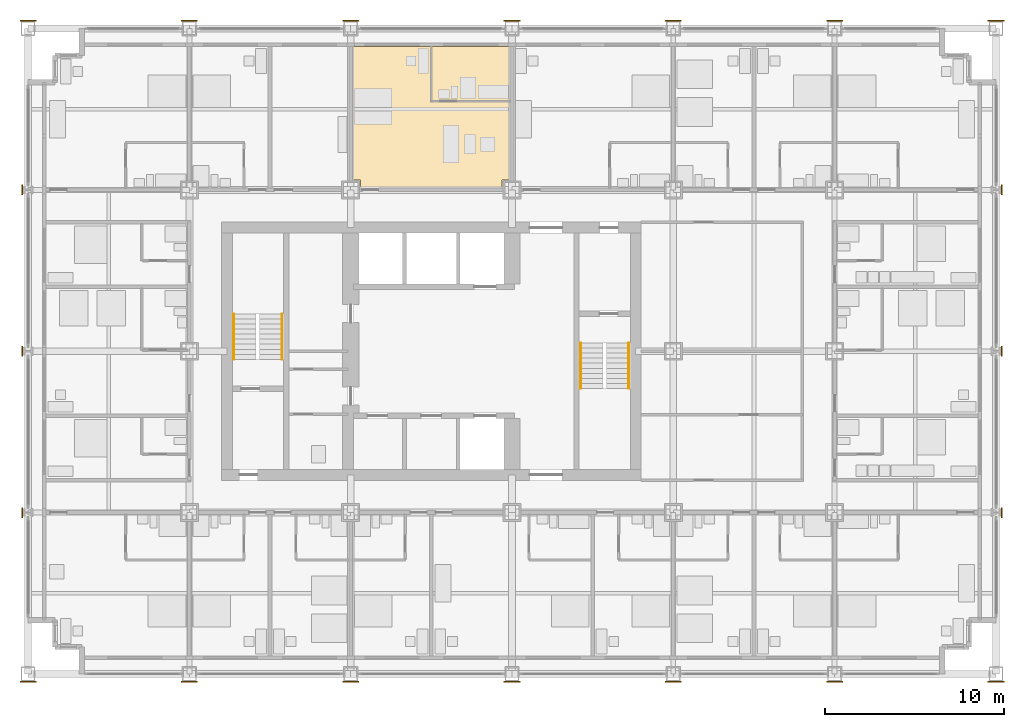
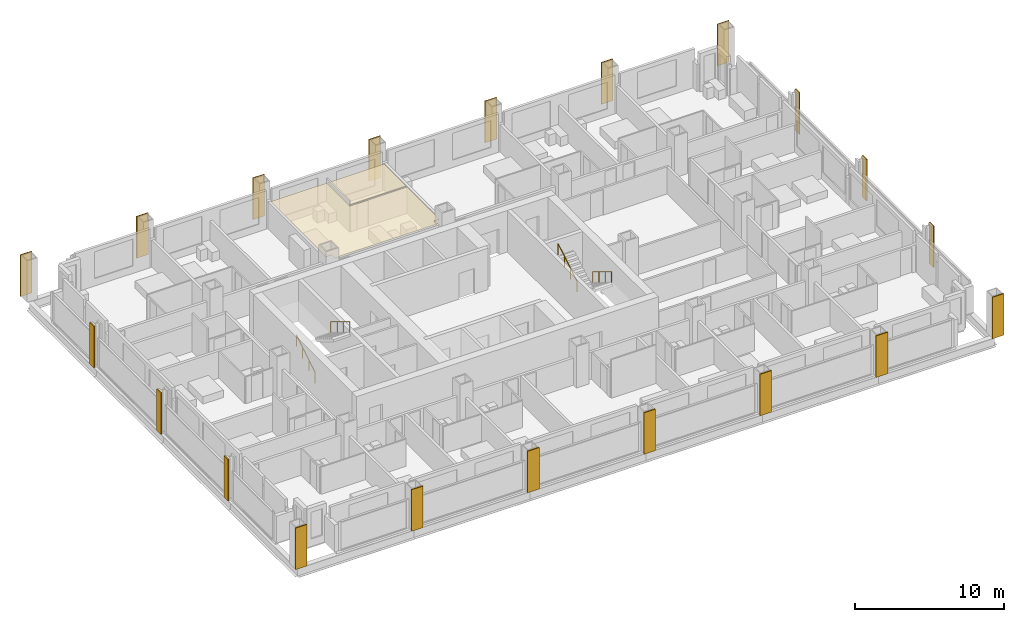
# One storey, part 17 of 19: 22 coverings, 4 railings.
"""IFC4 building model written with IfcOpenShell, lengths in metres."""

from ifc_helpers import new_model, si_unit, direction, frame, origin, origin_2d, place, context, subcontext, project, spatial, polyline, rectangle, circle, outline, extrude, material, layer, layer_set, type_object, element, save


model = new_model("IFC4")

# Units and contexts
model_context = context("Model", 3, precision=1e-05, world=origin(), true_north=direction((0.0, 1.0)))
body_context = subcontext(model_context, "Body", "Model", "MODEL_VIEW")
ifc_project = project(units=[si_unit("LENGTHUNIT", "METRE"), si_unit("AREAUNIT", "SQUARE_METRE"), si_unit("VOLUMEUNIT", "CUBIC_METRE"), si_unit("PLANEANGLEUNIT", "RADIAN"), si_unit("MASSUNIT", "GRAM", prefix="KILO")], contexts=[model_context])

# Site, building, storey
site_placement = place(None, origin())
site = spatial("IfcSite", under=ifc_project, at=site_placement, CompositionType="ELEMENT")
building_placement = place(site_placement, origin())
building = spatial("IfcBuilding", under=site, at=building_placement, Name="Loomwork Tower", CompositionType="ELEMENT")
storey_placement = place(building_placement, frame((0.0, 0.0, 85.800048828125)))
storey = spatial("IfcBuildingStorey", under=building, at=storey_placement, Name="L22", CompositionType="ELEMENT", Elevation=85.800048828125)

# Railings
ifc_material_1 = material(Name="Stainless steel handrail", Category="steel")
railing_type = type_object("IfcRailingType", Name="Handrail 900", PredefinedType="HANDRAIL", material=ifc_material_1)
railing_1_placement = place(storey_placement, frame((11.485107421875, 17.550048828125, 0.169921875)))
element("IfcRailing", 1, at=railing_1_placement, inside=storey, type_object=railing_type, Name="Stair A handrail flight 1 L22", PredefinedType="HANDRAIL", context=body_context, shape_type="SweptSolid", body=[
    extrude(circle(Radius=0.02392578125, at=origin_2d()), frame((0.0, 0.0, 0.8759765625), z_axis=(0.0, 0.85478489116, 0.518982456201), x_axis=(-1.0, 0.0, 0.0)), (0.0, 0.0, 1.0), 2.9482421875),
    extrude(circle(Radius=0.02099609375, at=origin_2d()), origin(), (0.0, 0.0, 1.0), 0.851806640625),
    extrude(circle(Radius=0.02099609375, at=origin_2d()), frame((0.0, 0.840087890625, 0.510009765625)), (0.0, 0.0, 1.0), 0.851806640625),
    extrude(circle(Radius=0.02099609375, at=origin_2d()), frame((0.0, 1.679931640625, 1.02001953125)), (0.0, 0.0, 1.0), 0.851806640625),
    extrude(circle(Radius=0.02099609375, at=origin_2d()), frame((0.0, 2.52001953125, 1.530029296875)), (0.0, 0.0, 1.0), 0.851806640625),
])
for number, where, name in (
    (2, (14.1650390625, 20.070068359375, 1.869873046875), "Stair A handrail flight 2 L22"),
    (3, (33.514892578125, 18.449951171875, 0.169921875), "Stair B handrail flight 1 L22"),
):
    element("IfcRailing", number, at=place(storey_placement, frame(where)), inside=storey, type_object=railing_type, Name=name, PredefinedType="HANDRAIL", context=body_context, shape_type="SweptSolid", body=[
        extrude(circle(Radius=0.02392578125, at=origin_2d()), frame((0.0, 0.0, 0.8759765625), z_axis=(0.0, -0.85478489116, 0.518982456201), x_axis=(1.0, 0.0, 0.0)), (0.0, 0.0, 1.0), 2.9482421875),
        extrude(circle(Radius=0.02099609375, at=origin_2d()), origin(), (0.0, 0.0, 1.0), 0.851806640625),
        extrude(circle(Radius=0.02099609375, at=origin_2d()), frame((0.0, -0.840087890625, 0.510009765625)), (0.0, 0.0, 1.0), 0.851806640625),
        extrude(circle(Radius=0.02099609375, at=origin_2d()), frame((0.0, -1.679931640625, 1.02001953125)), (0.0, 0.0, 1.0), 0.851806640625),
        extrude(circle(Radius=0.02099609375, at=origin_2d()), frame((0.0, -2.52001953125, 1.530029296875)), (0.0, 0.0, 1.0), 0.851806640625),
    ])
railing_2_placement = place(storey_placement, frame((30.8349609375, 15.929931640625, 1.869873046875)))
element("IfcRailing", 4, at=railing_2_placement, inside=storey, type_object=railing_type, Name="Stair B handrail flight 2 L22", PredefinedType="HANDRAIL", context=body_context, shape_type="SweptSolid", body=[
    extrude(circle(Radius=0.02392578125, at=origin_2d()), frame((0.0, 0.0, 0.8759765625), z_axis=(0.0, 0.85478489116, 0.518982456201), x_axis=(-1.0, 0.0, 0.0)), (0.0, 0.0, 1.0), 2.9482421875),
    extrude(circle(Radius=0.02099609375, at=origin_2d()), origin(), (0.0, 0.0, 1.0), 0.851806640625),
    extrude(circle(Radius=0.02099609375, at=origin_2d()), frame((0.0, 0.840087890625, 0.510009765625)), (0.0, 0.0, 1.0), 0.851806640625),
    extrude(circle(Radius=0.02099609375, at=origin_2d()), frame((0.0, 1.679931640625, 1.02001953125)), (0.0, 0.0, 1.0), 0.851806640625),
    extrude(circle(Radius=0.02099609375, at=origin_2d()), frame((0.0, 2.52001953125, 1.530029296875)), (0.0, 0.0, 1.0), 0.851806640625),
])

# Coverings
ifc_material_2 = material(Name="Limestone", Category="masonry")
ifc_layer_1 = layer(ifc_material_2, 0.080078125)
ifc_layer_set_1 = layer_set([ifc_layer_1], Name="Limestone pier facing 80")
covering_type_1 = type_object("IfcCoveringType", Name="Limestone pier facing 80", PredefinedType="CLADDING", material=ifc_layer_set_1)
covering_1_placement = place(storey_placement, frame((0.0, -0.43994140625, 0.0), z_axis=(0.0, 0.0, 1.0), x_axis=(1.0, 0.0, 0.0)))
element("IfcCovering", 5, at=covering_1_placement, inside=storey, type_object=covering_type_1, Name="Pier facing D/2 L22", PredefinedType="CLADDING", context=body_context, shape_type="SweptSolid", body=[
    extrude(rectangle(XDim=0.89990234375, YDim=0.080078125, at=origin_2d()), origin(), (0.0, 0.0, 1.0), 3.39990234375),
])
for number, where, z_axis, x_axis, name in (
    (6, (-0.324462890625, 9.0, 0.0), (0.0, 0.0, 1.0), (1.0, 0.0, 0.0), "Pier facing E/2 L22"),
    (7, (-0.324462890625, 18.0, 0.0), (0.0, 0.0, 1.0), (1.0, 0.0, 0.0), "Pier facing F/2 L22"),
    (8, (-0.324462890625, 27.0, 0.0), (0.0, 0.0, 1.0), (1.0, 0.0, 0.0), "Pier facing G/2 L22"),
):
    element("IfcCovering", number, at=place(storey_placement, frame(where, z_axis=z_axis, x_axis=x_axis)), inside=storey, type_object=covering_type_1, Name=name, PredefinedType="CLADDING", context=body_context, shape_type="SweptSolid", body=[
        extrude(rectangle(XDim=0.080078125, YDim=0.5546875, at=origin_2d()), origin(), (0.0, 0.0, 1.0), 3.39990234375),
    ])
for number, where, z_axis, x_axis, name in (
    (9, (0.0, 36.43994140625, 0.0), (0.0, 0.0, 1.0), (1.0, 0.0, 0.0), "Pier facing H/2 L22"),
    (10, (9.0, -0.43994140625, 0.0), (0.0, 0.0, 1.0), (1.0, 0.0, 0.0), "Pier facing D/3 L22"),
    (11, (9.0, 36.43994140625, 0.0), (0.0, 0.0, 1.0), (1.0, 0.0, 0.0), "Pier facing H/3 L22"),
    (12, (18.0, -0.43994140625, 0.0), (0.0, 0.0, 1.0), (1.0, 0.0, 0.0), "Pier facing D/4 L22"),
    (13, (18.0, 36.43994140625, 0.0), (0.0, 0.0, 1.0), (1.0, 0.0, 0.0), "Pier facing H/4 L22"),
    (14, (27.0, -0.43994140625, 0.0), (0.0, 0.0, 1.0), (1.0, 0.0, 0.0), "Pier facing D/5 L22"),
    (15, (27.0, 36.43994140625, 0.0), (0.0, 0.0, 1.0), (1.0, 0.0, 0.0), "Pier facing H/5 L22"),
    (16, (36.0, -0.43994140625, 0.0), (0.0, 0.0, 1.0), (1.0, 0.0, 0.0), "Pier facing D/6 L22"),
    (17, (36.0, 36.43994140625, 0.0), (0.0, 0.0, 1.0), (1.0, 0.0, 0.0), "Pier facing H/6 L22"),
    (18, (45.0, -0.43994140625, 0.0), (0.0, 0.0, 1.0), (1.0, 0.0, 0.0), "Pier facing D/7 L22"),
    (19, (45.0, 36.43994140625, 0.0), (0.0, 0.0, 1.0), (1.0, 0.0, 0.0), "Pier facing H/7 L22"),
    (20, (54.0, -0.43994140625, 0.0), (0.0, 0.0, 1.0), (1.0, 0.0, 0.0), "Pier facing D/8 L22"),
):
    element("IfcCovering", number, at=place(storey_placement, frame(where, z_axis=z_axis, x_axis=x_axis)), inside=storey, type_object=covering_type_1, Name=name, PredefinedType="CLADDING", context=body_context, shape_type="SweptSolid", body=[
        extrude(rectangle(XDim=0.89990234375, YDim=0.080078125, at=origin_2d()), origin(), (0.0, 0.0, 1.0), 3.39990234375),
    ])
for number, where, z_axis, x_axis, name in (
    (21, (54.324462890625, 9.0, 0.0), (0.0, 0.0, 1.0), (1.0, 0.0, 0.0), "Pier facing E/8 L22"),
    (22, (54.324462890625, 18.0, 0.0), (0.0, 0.0, 1.0), (1.0, 0.0, 0.0), "Pier facing F/8 L22"),
    (23, (54.324462890625, 27.0, 0.0), (0.0, 0.0, 1.0), (1.0, 0.0, 0.0), "Pier facing G/8 L22"),
):
    element("IfcCovering", number, at=place(storey_placement, frame(where, z_axis=z_axis, x_axis=x_axis)), inside=storey, type_object=covering_type_1, Name=name, PredefinedType="CLADDING", context=body_context, shape_type="SweptSolid", body=[
        extrude(rectangle(XDim=0.080078125, YDim=0.5546875, at=origin_2d()), origin(), (0.0, 0.0, 1.0), 3.39990234375),
    ])
covering_2_placement = place(storey_placement, frame((54.0, 36.43994140625, 0.0), z_axis=(0.0, 0.0, 1.0), x_axis=(1.0, 0.0, 0.0)))
element("IfcCovering", 24, at=covering_2_placement, inside=storey, type_object=covering_type_1, Name="Pier facing H/8 L22", PredefinedType="CLADDING", context=body_context, shape_type="SweptSolid", body=[
    extrude(rectangle(XDim=0.89990234375, YDim=0.080078125, at=origin_2d()), origin(), (0.0, 0.0, 1.0), 3.39990234375),
])
ifc_material_3 = material(Name="Mineral fibre acoustic tile on suspension grid")
ifc_layer_2 = layer(ifc_material_3, 0.02490234375)
ifc_layer_set_2 = layer_set([ifc_layer_2], Name="Suspended acoustic ceiling")
covering_type_2 = type_object("IfcCoveringType", Name="Suspended acoustic ceiling", PredefinedType="CEILING", material=ifc_layer_set_2)
covering_3_placement = place(storey_placement, frame((0.0, 0.0, 2.125)))
element("IfcCovering", 25, at=covering_3_placement, inside=storey, type_object=covering_type_2, Name="Ceiling Spa bathroom L22", PredefinedType="CEILING", context=body_context, shape_type="SweptSolid", body=[
    extrude(outline(polyline([(22.550048828125, 35.0), (26.89990234375, 35.0), (26.89990234375, 32.0), (22.550048828125, 32.0), (22.550048828125, 35.0)])), origin(), (0.0, 0.0, 1.0), 0.02490234375),
])
covering_4_placement = place(storey_placement, frame((0.0, 0.0, 2.125)))
element("IfcCovering", 26, at=covering_4_placement, inside=storey, type_object=covering_type_2, Name="Ceiling Spa suite L22", PredefinedType="CEILING", context=body_context, shape_type="SweptSolid", body=[
    extrude(outline(polyline([(18.10009765625, 35.0), (22.449951171875, 35.0), (22.449951171875, 31.89990234375), (26.89990234375, 31.89990234375), (26.89990234375, 27.550048828125), (26.449951171875, 27.550048828125), (26.449951171875, 27.10009765625), (18.550048828125, 27.10009765625), (18.550048828125, 27.550048828125), (18.10009765625, 27.550048828125), (18.10009765625, 35.0)])), origin(), (0.0, 0.0, 1.0), 0.02490234375),
])

save(model, "model.ifc")
